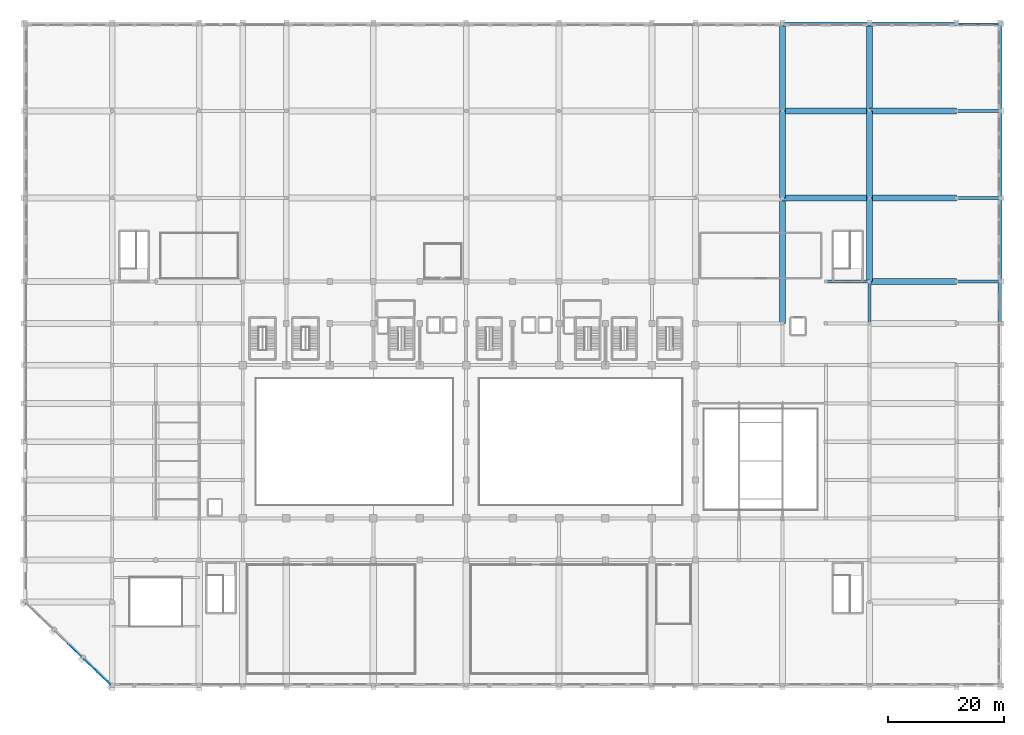
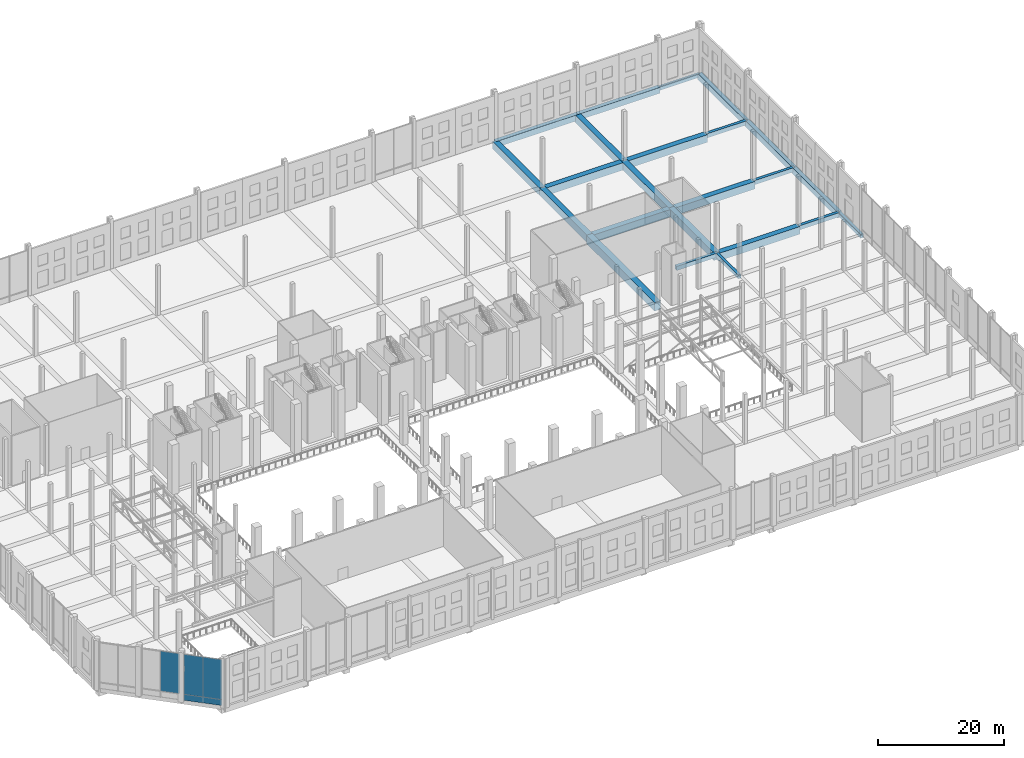
# One storey, part 51 of 80: 23 beams, 4 plates, 2 elements without a shape of their own.
"""IFC4 building model written with IfcOpenShell, lengths in metres."""

import ifcopenshell
import ifcopenshell.guid

model = None  # the IFC model being written
_history = None  # IfcOwnerHistory: only IFC2X3 demands one
_inside = {}  # id of a spatial element -> (the spatial element, [elements in it])
_under = {}  # id of a project, library or spatial element -> (it, [spatial elements below it])
_declared = {}  # id of a project -> (the project, [libraries it declares])
_typed = {}  # id of a type object -> (the type object, [elements of that type])
_made_of = {}  # id of a material, layer set ... -> (it, [elements and type objects made of it])


def new_model(schema):
    """Start an empty IFC model of exactly this schema.

    Asked for "IFC4X3", IfcOpenShell would pick the latest addendum, in which some entities
    have other attributes; the version numbers below select the first issue.
    IFC2X3 requires an IfcOwnerHistory on every rooted entity: one is made here for all.
    """
    global model, _history
    if schema == "IFC4X3":
        model = ifcopenshell.file(schema_version=(4, 3, 0, 0))
    else:
        model = ifcopenshell.file(schema=schema)
    _inside.clear()
    _under.clear()
    _declared.clear()
    _typed.clear()
    _made_of.clear()
    _history = None
    if model.schema == "IFC2X3":
        org = make("IfcOrganization", Name="unknown")
        user = make(
            "IfcPersonAndOrganization",
            ThePerson=make("IfcPerson", FamilyName="unknown"),
            TheOrganization=org,
        )
        app = make(
            "IfcApplication",
            ApplicationDeveloper=org,
            Version="unknown",
            ApplicationFullName="unknown",
            ApplicationIdentifier="unknown",
        )
        _history = make(
            "IfcOwnerHistory",
            OwningUser=user,
            OwningApplication=app,
            ChangeAction="ADDED",
            CreationDate=0,
        )
    return model


def make(cls, **values):
    """One entity of the class cls with the attributes given. An attribute that is None is left unset."""
    return model.create_entity(
        cls, **{name: value for name, value in values.items() if value is not None}
    )


def rooted(cls, **values):
    """An entity with a GlobalId (a new one), such as an element, a storey or a relation."""
    return make(cls, GlobalId=ifcopenshell.guid.new(), OwnerHistory=_history, **values)


def si_unit(unit_type, name, prefix=None):
    """IfcSIUnit, for example si_unit("LENGTHUNIT", "METRE", prefix="MILLI")."""
    return make("IfcSIUnit", UnitType=unit_type, Prefix=prefix, Name=name)


def assignment(units):
    """IfcUnitAssignment: the units of a project."""
    return None if units is None else make("IfcUnitAssignment", Units=units)


def point(xyz):
    """IfcCartesianPoint."""
    return None if xyz is None else make("IfcCartesianPoint", Coordinates=xyz)


def direction(xyz):
    """IfcDirection."""
    return None if xyz is None else make("IfcDirection", DirectionRatios=xyz)


def frame(location, z_axis=None, x_axis=None):
    """IfcAxis2Placement3D, a coordinate frame: its origin and axes. An axis left out is left unset."""
    return make(
        "IfcAxis2Placement3D",
        Location=point(location),
        Axis=direction(z_axis),
        RefDirection=direction(x_axis),
    )


def frame_2d(location, x_axis=None):
    """IfcAxis2Placement2D, a coordinate frame in the plane: its origin and x axis."""
    return make(
        "IfcAxis2Placement2D", Location=point(location), RefDirection=direction(x_axis)
    )


def origin():
    """The frame at (0, 0, 0) with its axes left unset."""
    return frame((0.0, 0.0, 0.0))


def origin_2d():
    """The frame at (0, 0) in the plane with its x axis left unset."""
    return frame_2d((0.0, 0.0))


def place(relative_to, where):
    """IfcLocalPlacement: puts the frame where relative to a parent placement (None: the world)."""
    return make(
        "IfcLocalPlacement", PlacementRelTo=relative_to, RelativePlacement=where
    )


def context(
    kind, dimensions, precision=None, world=None, true_north=None, identifier=None
):
    """IfcGeometricRepresentationContext, for example the 3D "Model" context."""
    return make(
        "IfcGeometricRepresentationContext",
        ContextIdentifier=identifier,
        ContextType=kind,
        CoordinateSpaceDimension=dimensions,
        Precision=precision,
        WorldCoordinateSystem=world,
        TrueNorth=true_north,
    )


def subcontext(parent, identifier, kind, view, scale=None):
    """IfcGeometricRepresentationSubContext, for example "Body" below "Model"."""
    return make(
        "IfcGeometricRepresentationSubContext",
        ContextIdentifier=identifier,
        ContextType=kind,
        ParentContext=parent,
        TargetScale=scale,
        TargetView=view,
    )


def project(units=None, contexts=None):
    """IfcProject with its units and contexts."""
    return rooted(
        "IfcProject",
        Name="project",
        RepresentationContexts=contexts,
        UnitsInContext=assignment(units),
    )


def spatial(cls, under=None, at=None, **own):
    """A site, building, storey or space (cls), placed at a placement, below another one or the project."""
    s = rooted(cls, ObjectPlacement=at, **own)
    if under is not None:
        _under.setdefault(under.id(), (under, []))[1].append(s)
    return s


def profile(cls, at=None, kind="AREA", **sizes):
    """A parametric profile (cls). Its sizes go by their IFC names, for example OverallWidth=200.0."""
    return make(cls, ProfileType=kind, Position=at, **sizes)


def rectangle(**sizes):
    """IfcRectangleProfileDef."""
    return profile("IfcRectangleProfileDef", **sizes)


def extrude(swept, where, along, depth):
    """IfcExtrudedAreaSolid: the profile swept, set in the frame where, extruded along a direction by depth."""
    return make(
        "IfcExtrudedAreaSolid",
        SweptArea=swept,
        Position=where,
        ExtrudedDirection=direction(along),
        Depth=depth,
    )


def shape(context_of_items, identifier, shape_type, items):
    """IfcShapeRepresentation: the items that make up one representation, for example the "Body"."""
    return make(
        "IfcShapeRepresentation",
        ContextOfItems=context_of_items,
        RepresentationIdentifier=identifier,
        RepresentationType=shape_type,
        Items=items,
    )


def material(Name=None, Category=None):
    """IfcMaterial."""
    return make("IfcMaterial", Name=Name, Category=Category)


def layer(
    of_material, thickness, ventilated=None, Name=None, Category=None, Priority=None
):
    """IfcMaterialLayer: one layer of a wall or slab, of a material (None: an air gap)."""
    return make(
        "IfcMaterialLayer",
        Material=of_material,
        LayerThickness=thickness,
        IsVentilated=ventilated,
        Name=Name,
        Category=Category,
        Priority=Priority,
    )


def layer_set(layers, Name=None):
    """IfcMaterialLayerSet."""
    return make("IfcMaterialLayerSet", MaterialLayers=layers, LayerSetName=Name)


def material_profile(
    of_material, cross_section, Name=None, Category=None, Priority=None
):
    """IfcMaterialProfile: a cross section and its material."""
    return make(
        "IfcMaterialProfile",
        Name=Name,
        Material=of_material,
        Profile=cross_section,
        Priority=Priority,
        Category=Category,
    )


def profile_set(profiles, Name=None, composite=None):
    """IfcMaterialProfileSet."""
    return make(
        "IfcMaterialProfileSet",
        Name=Name,
        MaterialProfiles=profiles,
        CompositeProfile=composite,
    )


def made_of(thing, what):
    """Note that an element or type object is made of a material, layer set ...; save() writes the relation."""
    if what is not None:
        _made_of.setdefault(what.id(), (what, []))[1].append(thing)
    return thing


def type_object(cls, material=None, **own):
    """A type object (cls), such as IfcWallType, which elements share."""
    return made_of(rooted(cls, **own), material)


def element(
    cls,
    number,
    at=None,
    inside=None,
    cuts=None,
    type_object=None,
    material=None,
    context=None,
    identifier="Body",
    shape_type=None,
    held_by="IfcProductDefinitionShape",
    body=None,
    shapes=None,
    **own,
):
    """One element of the class cls, such as IfcWall. Its Tag is "e" and its number.

    at: its placement. inside: the storey or other place that contains it. cuts: it is an
    opening in that element (IfcRelVoidsElement). A single representation is given by context,
    identifier, shape_type and body (its items); several are given by shapes. held_by: the class
    of the entity that holds the representations. save() writes the other relations.
    """
    e = rooted(cls, Tag="e%d" % number, ObjectPlacement=at, **own)
    if body is not None:
        shapes = [shape(context, identifier, shape_type, body)]
    if shapes is not None:
        e.Representation = make(held_by, Representations=shapes)
    if inside is not None:
        _inside.setdefault(inside.id(), (inside, []))[1].append(e)
    if cuts is not None:
        rooted(
            "IfcRelVoidsElement", RelatingBuildingElement=cuts, RelatedOpeningElement=e
        )
    if type_object is not None:
        _typed.setdefault(type_object.id(), (type_object, []))[1].append(e)
    return made_of(e, material)


def aggregate(whole, parts):
    """IfcRelAggregates: a whole, such as a stair, and the parts it consists of."""
    return rooted("IfcRelAggregates", RelatingObject=whole, RelatedObjects=parts)


def save(model, path):
    """Write the relations noted so far, then the file.

    IfcRelAggregates (storeys below a building ...), IfcRelContainedInSpatialStructure (elements
    in a storey), IfcRelDefinesByType, IfcRelAssociatesMaterial and IfcRelDeclares: one each for
    every whole, place, type object, material and project.
    """
    for whole, parts in _under.values():
        aggregate(whole, parts)
    for where, things in _inside.values():
        rooted(
            "IfcRelContainedInSpatialStructure",
            RelatedElements=things,
            RelatingStructure=where,
        )
    for kind, things in _typed.values():
        rooted("IfcRelDefinesByType", RelatedObjects=things, RelatingType=kind)
    for what, things in _made_of.values():
        rooted("IfcRelAssociatesMaterial", RelatedObjects=things, RelatingMaterial=what)
    for by, libraries in _declared.values():
        rooted("IfcRelDeclares", RelatingContext=by, RelatedDefinitions=libraries)
    model.write(path)


model = new_model("IFC4")

# Units and contexts
model_context = context("Model", 3, precision=1e-05, world=origin(), true_north=direction((0.0, 1.0)))
body_context = subcontext(model_context, "Body", "Model", "MODEL_VIEW")
ifc_project = project(units=[si_unit("LENGTHUNIT", "METRE"), si_unit("AREAUNIT", "SQUARE_METRE"), si_unit("VOLUMEUNIT", "CUBIC_METRE"), si_unit("PLANEANGLEUNIT", "RADIAN"), si_unit("MASSUNIT", "GRAM", prefix="KILO")], contexts=[model_context])

# Site, building, storey
site_placement = place(None, origin())
site = spatial("IfcSite", under=ifc_project, at=site_placement, CompositionType="ELEMENT")
building_placement = place(site_placement, origin())
building = spatial("IfcBuilding", under=site, at=building_placement, Name="Akrevak Sports Hall", CompositionType="ELEMENT")
storey_placement = place(building_placement, frame((0.0, 0.0, 14.0)))
storey = spatial("IfcBuildingStorey", under=building, at=storey_placement, Name="L03", CompositionType="ELEMENT", Elevation=14.0)

# Beams
ifc_material_1 = material(Name="Concrete C50/60", Category="concrete")
ifc_material_profile_1 = material_profile(ifc_material_1, rectangle(XDim=1.0, YDim=1.449951171875, at=origin_2d()), Name="BM 1000x1450", Category="concrete")
ifc_profile_set_1 = profile_set([ifc_material_profile_1], Name="Concrete C50/60")
beam_type_1 = type_object("IfcBeamType", Name="STR-BM-LG1000x1450", PredefinedType="BEAM", material=ifc_profile_set_1)
for number, where, z_axis, x_axis, name in (
    (1, (145.5, 69.60009765625, -0.72509765625), (1.0, 0.0, 0.0), (0.0, 1.0, 0.0), "Girder K/20-22 (L03)"),
    (2, (130.5, 84.0, -0.72509765625), (1.0, 0.0, 0.0), (0.0, 1.0, 0.0), "Girder M/18-20 (L03)"),
    (3, (145.5, 84.0, -0.72509765625), (1.0, 0.0, 0.0), (0.0, 1.0, 0.0), "Girder M/20-22 (L03)"),
    (4, (130.5, 99.0, -0.72509765625), (1.0, 0.0, 0.0), (0.0, 1.0, 0.0), "Girder O/18-20 (L03)"),
    (5, (145.5, 99.0, -0.72509765625), (1.0, 0.0, 0.0), (0.0, 1.0, 0.0), "Girder O/20-22 (L03)"),
    (6, (130.5, 84.0, -0.72509765625), (0.0, 1.0, 0.0), (-1.0, 0.0, 0.0), "Girder 18/M-O (L03)"),
    (7, (130.5, 99.0, -0.72509765625), (0.0, 1.0, 0.0), (-1.0, 0.0, 0.0), "Girder 18/O-Q (L03)"),
):
    element("IfcBeam", number, at=place(storey_placement, frame(where, z_axis=z_axis, x_axis=x_axis)), inside=storey, type_object=beam_type_1, Name=name, PredefinedType="BEAM", context=body_context, shape_type="SweptSolid", body=[
        extrude(rectangle(XDim=1.0, YDim=1.449951171875, at=origin_2d()), origin(), (0.0, 0.0, 1.0), 15.0),
    ])
beam_1_placement = place(storey_placement, frame((145.5, 69.60009765625, -0.72509765625), z_axis=(0.0, 1.0, 0.0), x_axis=(-1.0, 0.0, 0.0)))
element("IfcBeam", 8, at=beam_1_placement, inside=storey, type_object=beam_type_1, Name="Girder 20/K-M (L03)", PredefinedType="BEAM", context=body_context, shape_type="SweptSolid", body=[
    extrude(rectangle(XDim=1.0, YDim=1.449951171875, at=origin_2d()), origin(), (0.0, 0.0, 1.0), 14.39990234375),
])
for number, where, z_axis, x_axis, name in (
    (9, (145.5, 84.0, -0.72509765625), (0.0, 1.0, 0.0), (-1.0, 0.0, 0.0), "Girder 20/M-O (L03)"),
    (10, (145.5, 99.0, -0.72509765625), (0.0, 1.0, 0.0), (-1.0, 0.0, 0.0), "Girder 20/O-Q (L03)"),
):
    element("IfcBeam", number, at=place(storey_placement, frame(where, z_axis=z_axis, x_axis=x_axis)), inside=storey, type_object=beam_type_1, Name=name, PredefinedType="BEAM", context=body_context, shape_type="SweptSolid", body=[
        extrude(rectangle(XDim=1.0, YDim=1.449951171875, at=origin_2d()), origin(), (0.0, 0.0, 1.0), 15.0),
    ])
ifc_material_profile_2 = material_profile(ifc_material_1, rectangle(XDim=1.10009765625, YDim=1.64990234375, at=origin_2d()), Name="BM 1100x1650", Category="concrete")
ifc_profile_set_2 = profile_set([ifc_material_profile_2], Name="Concrete C50/60")
beam_type_2 = type_object("IfcBeamType", Name="STR-BM-LG1100x1650", PredefinedType="BEAM", material=ifc_profile_set_2)
beam_2_placement = place(storey_placement, frame((130.5, 62.39990234375, -0.824951171875), z_axis=(0.0, 1.0, 0.0), x_axis=(-1.0, 0.0, 0.0)))
element("IfcBeam", 11, at=beam_2_placement, inside=storey, type_object=beam_type_2, Name="Girder 18/J-M (L03)", PredefinedType="BEAM", context=body_context, shape_type="SweptSolid", body=[
    extrude(rectangle(XDim=1.10009765625, YDim=1.64990234375, at=origin_2d()), origin(), (0.0, 0.0, 1.0), 21.60009765625),
])
ifc_material_2 = material(Name="Concrete C40/50", Category="concrete")
ifc_material_profile_3 = material_profile(ifc_material_2, rectangle(XDim=0.5, YDim=0.75, at=origin_2d()), Name="BM 500x750", Category="concrete")
ifc_profile_set_3 = profile_set([ifc_material_profile_3], Name="Concrete C40/50")
beam_type_3 = type_object("IfcBeamType", Name="STR-BM-RC500x750", PredefinedType="BEAM", material=ifc_profile_set_3)
for number, where, z_axis, x_axis, name in (
    (12, (145.5, 62.39990234375, -0.375), (0.0, 1.0, 0.0), (-1.0, 0.0, 0.0), "Girder 20/J-K (L03)"),
    (13, (168.0, 62.39990234375, -0.375), (0.0, 1.0, 0.0), (-1.0, 0.0, 0.0), "Girder 23/J-K (L03)"),
):
    element("IfcBeam", number, at=place(storey_placement, frame(where, z_axis=z_axis, x_axis=x_axis)), inside=storey, type_object=beam_type_3, Name=name, PredefinedType="BEAM", context=body_context, shape_type="SweptSolid", body=[
        extrude(rectangle(XDim=0.5, YDim=0.75, at=origin_2d()), origin(), (0.0, 0.0, 1.0), 7.2001953125),
    ])
ifc_material_profile_4 = material_profile(ifc_material_2, rectangle(XDim=0.550048828125, YDim=0.800048828125, at=origin_2d()), Name="BM 550x800", Category="concrete")
ifc_profile_set_4 = profile_set([ifc_material_profile_4], Name="Concrete C40/50")
beam_type_4 = type_object("IfcBeamType", Name="STR-BM-RC550x800", PredefinedType="BEAM", material=ifc_profile_set_4)
for number, where, z_axis, x_axis, name in (
    (14, (138.0, 69.60009765625, -0.39990234375), (1.0, 0.0, 0.0), (0.0, 1.0, 0.0), "Girder K/19-20 (L03)"),
    (15, (160.5, 69.60009765625, -0.39990234375), (1.0, 0.0, 0.0), (0.0, 1.0, 0.0), "Girder K/22-23 (L03)"),
    (16, (160.5, 84.0, -0.39990234375), (1.0, 0.0, 0.0), (0.0, 1.0, 0.0), "Girder M/22-23 (L03)"),
    (17, (160.5, 99.0, -0.39990234375), (1.0, 0.0, 0.0), (0.0, 1.0, 0.0), "Girder O/22-23 (L03)"),
):
    element("IfcBeam", number, at=place(storey_placement, frame(where, z_axis=z_axis, x_axis=x_axis)), inside=storey, type_object=beam_type_4, Name=name, PredefinedType="BEAM", context=body_context, shape_type="SweptSolid", body=[
        extrude(rectangle(XDim=0.550048828125, YDim=0.800048828125, at=origin_2d()), origin(), (0.0, 0.0, 1.0), 7.5),
    ])
ifc_material_profile_5 = material_profile(ifc_material_1, rectangle(XDim=0.75, YDim=1.14990234375, at=origin_2d()), Name="SPD 750x1150", Category="concrete")
ifc_profile_set_5 = profile_set([ifc_material_profile_5], Name="Concrete C50/60")
beam_type_5 = type_object("IfcBeamType", Name="STR-SPD-LSP750x1150", PredefinedType="SPANDREL", material=ifc_profile_set_5)
for number, where, z_axis, x_axis, name in (
    (18, (130.5, 114.0, -0.574951171875), (1.0, 0.0, 0.0), (0.0, 1.0, 0.0), "Girder Q/18-20 (L03)"),
    (19, (145.5, 114.0, -0.574951171875), (1.0, 0.0, 0.0), (0.0, 1.0, 0.0), "Girder Q/20-22 (L03)"),
):
    element("IfcBeam", number, at=place(storey_placement, frame(where, z_axis=z_axis, x_axis=x_axis)), inside=storey, type_object=beam_type_5, Name=name, PredefinedType="SPANDREL", context=body_context, shape_type="SweptSolid", body=[
        extrude(rectangle(XDim=0.75, YDim=1.14990234375, at=origin_2d()), origin(), (0.0, 0.0, 1.0), 15.0),
    ])
beam_3_placement = place(storey_placement, frame((168.0, 69.60009765625, -0.574951171875), z_axis=(0.0, 1.0, 0.0), x_axis=(-1.0, 0.0, 0.0)))
element("IfcBeam", 20, at=beam_3_placement, inside=storey, type_object=beam_type_5, Name="Girder 23/K-M (L03)", PredefinedType="SPANDREL", context=body_context, shape_type="SweptSolid", body=[
    extrude(rectangle(XDim=0.75, YDim=1.14990234375, at=origin_2d()), origin(), (0.0, 0.0, 1.0), 14.39990234375),
])
for number, where, z_axis, x_axis, name in (
    (21, (168.0, 84.0, -0.574951171875), (0.0, 1.0, 0.0), (-1.0, 0.0, 0.0), "Girder 23/M-O (L03)"),
    (22, (168.0, 99.0, -0.574951171875), (0.0, 1.0, 0.0), (-1.0, 0.0, 0.0), "Girder 23/O-Q (L03)"),
):
    element("IfcBeam", number, at=place(storey_placement, frame(where, z_axis=z_axis, x_axis=x_axis)), inside=storey, type_object=beam_type_5, Name=name, PredefinedType="SPANDREL", context=body_context, shape_type="SweptSolid", body=[
        extrude(rectangle(XDim=0.75, YDim=1.14990234375, at=origin_2d()), origin(), (0.0, 0.0, 1.0), 15.0),
    ])
ifc_material_profile_6 = material_profile(ifc_material_2, rectangle(XDim=0.35009765625, YDim=0.75, at=origin_2d()), Name="SPD 350x750", Category="concrete")
ifc_profile_set_6 = profile_set([ifc_material_profile_6], Name="Concrete C40/50")
beam_type_6 = type_object("IfcBeamType", Name="STR-SPD-RC350x750", PredefinedType="SPANDREL", material=ifc_profile_set_6)
beam_4_placement = place(storey_placement, frame((160.5, 114.0, -0.375), z_axis=(1.0, 0.0, 0.0), x_axis=(0.0, 1.0, 0.0)))
element("IfcBeam", 23, at=beam_4_placement, inside=storey, type_object=beam_type_6, Name="Girder Q/22-23 (L03)", PredefinedType="SPANDREL", context=body_context, shape_type="SweptSolid", body=[
    extrude(rectangle(XDim=0.35009765625, YDim=0.75, at=origin_2d()), origin(), (0.0, 0.0, 1.0), 7.5),
])

# Curtain wall, plates
ifc_material_3 = material(Name="Anodized Bronze Aluminium & Low-E Glass", Category="aluminium")
curtain_wall_type = type_object("IfcCurtainWallType", Name="ARC-CW-POD-64x94", PredefinedType="NOTDEFINED", material=ifc_material_3)
curtain_wall_1_placement = place(storey_placement, origin())
curtain_wall_1 = element("IfcCurtainWall", 24, at=curtain_wall_1_placement, inside=storey, type_object=curtain_wall_type, Name="Curtain Wall CW-L03-CH1", PredefinedType="NOTDEFINED")
ifc_material_4 = material(Name="Double Low-E Tempered Glass", Category="glass")
ifc_layer_1 = layer(ifc_material_4, 0.035888671875, Name="Double Low-E Tempered Glass")
ifc_layer_set_1 = layer_set([ifc_layer_1], Name="Double Low-E Tempered Glass")
plate_type_1 = type_object("IfcPlateType", Name="ARC-CWP-GLZ-36", PredefinedType="CURTAIN_PANEL", material=ifc_layer_set_1)
plate_1_placement = place(storey_placement, frame((13.529052734375, 1.245849609375, 1.14990234375), z_axis=(0.0, 0.0, 1.0), x_axis=(-0.721397723859, 0.692520991747, 0.0)))
plate_1 = element("IfcPlate", 25, at=plate_1_placement, type_object=plate_type_1, Name="Vision Glass Panel CW-L03-CH1-G1", PredefinedType="CURTAIN_PANEL", context=body_context, shape_type="SweptSolid", body=[
    extrude(rectangle(XDim=3.0830078125, YDim=0.035888671875, at=origin_2d()), origin(), (0.0, 0.0, 1.0), 7.760009765625),
])
plate_2_placement = place(storey_placement, frame((11.304931640625, 3.380859375, 1.14990234375), z_axis=(0.0, 0.0, 1.0), x_axis=(-0.721397723859, 0.692520991747, 0.0)))
plate_2 = element("IfcPlate", 26, at=plate_2_placement, type_object=plate_type_1, Name="Vision Glass Panel CW-L03-CH1-G2", PredefinedType="CURTAIN_PANEL", context=body_context, shape_type="SweptSolid", body=[
    extrude(rectangle(XDim=3.0830078125, YDim=0.035888671875, at=origin_2d()), origin(), (0.0, 0.0, 1.0), 7.760009765625),
])

# Curtain wall, plate
curtain_wall_2_placement = place(storey_placement, origin())
curtain_wall_2 = element("IfcCurtainWall", 27, at=curtain_wall_2_placement, inside=storey, type_object=curtain_wall_type, Name="Curtain Wall CW-L03-CH2", PredefinedType="NOTDEFINED")
plate_3_placement = place(storey_placement, frame((8.529052734375, 6.0458984375, 1.14990234375), z_axis=(0.0, 0.0, 1.0), x_axis=(-0.721397723859, 0.692520991747, 0.0)))
plate_3 = element("IfcPlate", 28, at=plate_3_placement, type_object=plate_type_1, Name="Vision Glass Panel CW-L03-CH2-G1", PredefinedType="CURTAIN_PANEL", context=body_context, shape_type="SweptSolid", body=[
    extrude(rectangle(XDim=3.0830078125, YDim=0.035888671875, at=origin_2d()), origin(), (0.0, 0.0, 1.0), 7.760009765625),
])
aggregate(curtain_wall_2, [plate_3])

# Plate
ifc_material_5 = material(Name="Insulated Bronze Spandrel Panel", Category="aluminium")
ifc_layer_2 = layer(ifc_material_5, 0.0439453125, Name="Insulated Bronze Spandrel Panel")
ifc_layer_set_2 = layer_set([ifc_layer_2], Name="Insulated Bronze Spandrel Panel")
plate_type_2 = type_object("IfcPlateType", Name="ARC-CWP-SPD-44", PredefinedType="CURTAIN_PANEL", material=ifc_layer_set_2)
plate_4_placement = place(storey_placement, frame((12.4169921875, 2.3134765625, 0.0), z_axis=(0.0, 0.0, 1.0), x_axis=(-0.721397723859, 0.692520991747, 0.0)))
plate_4 = element("IfcPlate", 29, at=plate_4_placement, type_object=plate_type_2, Name="Insulated Spandrel Panel CW-L03-CH1-S1", PredefinedType="CURTAIN_PANEL", context=body_context, shape_type="SweptSolid", body=[
    extrude(rectangle(XDim=6.166015625, YDim=0.0439453125, at=origin_2d()), origin(), (0.0, 0.0, 1.0), 1.14990234375),
])

aggregate(curtain_wall_1, [plate_1, plate_2, plate_4])

save(model, "model.ifc")
